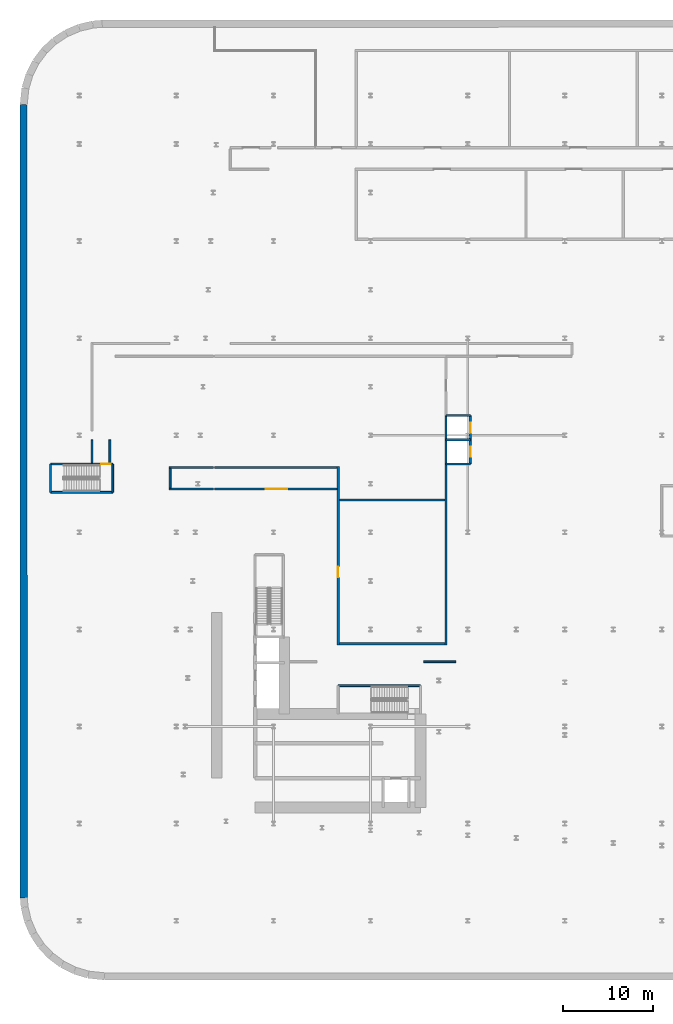
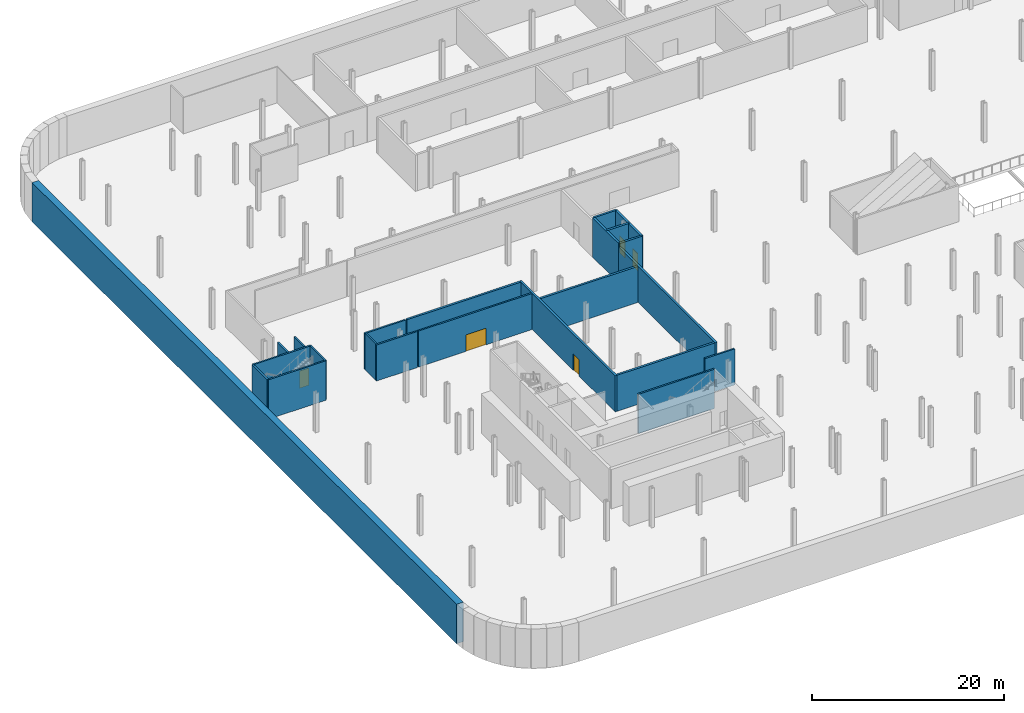
# One storey, part 9 of 19: 23 walls, 5 doors, 5 openings.
"""IFC4 building model written with IfcOpenShell, lengths in metres."""

from ifc_helpers import new_model, si_unit, direction, frame, frame_2d, origin, place, context, subcontext, project, spatial, rectangle, extrude, source, transform, mapped, material, layer, layer_set, type_object, element, fill, save


model = new_model("IFC4")

# Units and contexts
model_context = context("Model", 3, precision=1e-05, world=origin(), true_north=direction((0.0, 1.0)))
body_context = subcontext(model_context, "Body", "Model", "MODEL_VIEW")
ifc_project = project(units=[si_unit("LENGTHUNIT", "METRE"), si_unit("AREAUNIT", "SQUARE_METRE"), si_unit("VOLUMEUNIT", "CUBIC_METRE"), si_unit("PLANEANGLEUNIT", "RADIAN"), si_unit("MASSUNIT", "GRAM", prefix="KILO")], contexts=[model_context])

# Site, building, storey
site_placement = place(None, origin())
site = spatial("IfcSite", under=ifc_project, at=site_placement, CompositionType="ELEMENT")
building_placement = place(site_placement, origin())
building = spatial("IfcBuilding", under=site, at=building_placement, Name="Kheshtan School and Residences Tower", CompositionType="ELEMENT")
storey_placement = place(building_placement, frame((0.0, 0.0, -10.0)))
storey = spatial("IfcBuildingStorey", under=building, at=storey_placement, Name="B2", CompositionType="ELEMENT", Elevation=-10.0)

# Walls
ifc_material_1 = material(Name="Concrete C35/45", Category="concrete")
ifc_layer_1 = layer(ifc_material_1, 0.800048828125)
ifc_layer_set_1 = layer_set([ifc_layer_1], Name="Basement wall 800 Concrete C35/45")
wall_type_1 = type_object("IfcWallType", Name="Basement wall 800 Concrete C35/45", PredefinedType="SOLIDWALL", material=ifc_layer_set_1)
wall_1_placement = place(storey_placement, frame((9.010986328125, 15.739013671875, 0.0), z_axis=(0.0, 0.0, 1.0), x_axis=(-0.000124475473, 0.999999992253, 0.0)))
element("IfcWall", 1, at=wall_1_placement, inside=storey, type_object=wall_type_1, Name="Secant pile wall 40", PredefinedType="SOLIDWALL", context=body_context, shape_type="SweptSolid", body=[
    extrude(rectangle(XDim=88.260986328125, YDim=0.800048828125, at=frame_2d((44.13037109375, 0.0))), origin(), (0.0, 0.0, 1.0), 5.0),
])
ifc_material_2 = material(Name="Gypsum board on steel studs with fire boards", Category="steel")
ifc_layer_2 = layer(ifc_material_2, 0.199951171875)
ifc_layer_set_2 = layer_set([ifc_layer_2], Name="Corridor wall 200")
wall_type_2 = type_object("IfcWallType", Name="Corridor wall 200", PredefinedType="PARTITIONING", material=ifc_layer_set_2)
for number, where, z_axis, x_axis, name in (
    (2, (16.60009765625, 64.10009765625, 0.0), (0.0, 0.0, 1.0), (0.0, 1.0, 0.0), "Partition B2-001"),
    (3, (18.60009765625, 64.10009765625, 0.0), (0.0, 0.0, 1.0), (0.0, 1.0, 0.0), "Partition B2-004"),
):
    element("IfcWall", number, at=place(storey_placement, frame(where, z_axis=z_axis, x_axis=x_axis)), inside=storey, type_object=wall_type_2, Name=name, PredefinedType="PARTITIONING", context=body_context, shape_type="SweptSolid", body=[
        extrude(rectangle(XDim=2.599853515625, YDim=0.199951171875, at=frame_2d((1.2998046875, 0.0))), origin(), (0.0, 0.0, 1.0), 4.580078125),
    ])
for number, where, z_axis, x_axis, name in (
    (4, (25.199951171875, 61.22509765625, 0.0), (0.0, 0.0, 1.0), (1.0, 0.0, 0.0), "Partition B2-006"),
    (5, (25.199951171875, 63.625, 0.0), (0.0, 0.0, 1.0), (1.0, 0.0, 0.0), "Partition B2-007"),
):
    element("IfcWall", number, at=place(storey_placement, frame(where, z_axis=z_axis, x_axis=x_axis)), inside=storey, type_object=wall_type_2, Name=name, PredefinedType="PARTITIONING", context=body_context, shape_type="SweptSolid", body=[
        extrude(rectangle(XDim=4.900146484375, YDim=0.199951171875, at=frame_2d((2.4501953125, 0.0))), origin(), (0.0, 0.0, 1.0), 4.580078125),
    ])
wall_2_placement = place(storey_placement, frame((25.300048828125, 61.324951171875, 0.0), z_axis=(0.0, 0.0, 1.0), x_axis=(0.0, 1.0, 0.0)))
element("IfcWall", 6, at=wall_2_placement, inside=storey, type_object=wall_type_2, Name="Partition B2-008", PredefinedType="PARTITIONING", context=body_context, shape_type="SweptSolid", body=[
    extrude(rectangle(XDim=2.199951171875, YDim=0.199951171875, at=frame_2d((1.10009765625, 0.0))), origin(), (0.0, 0.0, 1.0), 4.580078125),
])

# Wall, opening, door
wall_3_placement = place(storey_placement, frame((30.25, 61.22509765625, 0.0), z_axis=(0.0, 0.0, 1.0), x_axis=(1.0, 0.0, 0.0)))
wall_3 = element("IfcWall", 7, at=wall_3_placement, inside=storey, type_object=wall_type_2, Name="Partition B2-010", PredefinedType="PARTITIONING", context=body_context, shape_type="SweptSolid", body=[
    extrude(rectangle(XDim=13.625, YDim=0.199951171875, at=frame_2d((6.8125, 0.0))), origin(), (0.0, 0.0, 1.0), 4.580078125),
])
opening_1_placement = place(wall_3_placement, frame((5.699951171875, 0.0, 0.0)))
opening_1 = element("IfcOpeningElement", 8, at=opening_1_placement, cuts=wall_3, Name="Opening D2-012", PredefinedType="OPENING", context=body_context, shape_type="SweptSolid", body=[
    extrude(rectangle(XDim=2.39990234375, YDim=2.10009765625, at=frame_2d((1.199951171875, 1.050048828125))), frame((0.0, 0.10986328125, 0.0), z_axis=(0.0, -1.0, 0.0), x_axis=(1.0, 0.0, 0.0)), (0.0, 0.0, 1.0), 0.219970703125),
])
ifc_material_3 = material(Name="Steel-framed fire-resisting door leaf", Category="steel")
door_type_1 = type_object("IfcDoorType", Name="Fire double door FD60 2400 x 2100", OperationType="DOUBLE_DOOR_SINGLE_SWING", PredefinedType="DOOR", material=ifc_material_3)
shared_shape_1 = source(origin(), body_context, "Body", "SweptSolid", [
    extrude(rectangle(XDim=2.39990234375, YDim=2.10009765625, at=frame_2d((1.199951171875, 1.050048828125))), frame((0.0, 0.02490234375, 0.0), z_axis=(0.0, -1.0, 0.0), x_axis=(1.0, 0.0, 0.0)), (0.0, 0.0, 1.0), 0.050048828125),
])
door_1_placement = place(opening_1_placement, origin())
door_1 = element("IfcDoor", 9, at=door_1_placement, inside=storey, type_object=door_type_1, Name="Door D2-012", OperationType="DOUBLE_DOOR_SINGLE_SWING", OverallHeight=2.10009765625, OverallWidth=2.39990234375, PredefinedType="DOOR", context=body_context, shape_type="MappedRepresentation", body=[
    mapped(shared_shape_1, transform((0.0, 0.0, 0.0), x_axis=(1.0, 0.0, 0.0), y_axis=(0.0, 1.0, 0.0), z_axis=(0.0, 0.0, 1.0), scale=1.0)),
])
fill(opening_1, door_1)

# Walls
wall_4_placement = place(storey_placement, frame((53.5, 42.0, 0.0), z_axis=(0.0, 0.0, 1.0), x_axis=(1.0, 0.0, 0.0)))
element("IfcWall", 10, at=wall_4_placement, inside=storey, type_object=wall_type_2, Name="Partition B2-032", PredefinedType="PARTITIONING", context=body_context, shape_type="SweptSolid", body=[
    extrude(rectangle(XDim=3.60009765625, YDim=0.199951171875, at=frame_2d((1.800048828125, 0.0))), origin(), (0.0, 0.0, 1.0), 4.580078125),
])
ifc_material_4 = material(Name="Fire-board and steel stud wall with mineral wool", Category="steel")
ifc_layer_3 = layer(ifc_material_4, 0.25)
ifc_layer_set_3 = layer_set([ifc_layer_3], Name="Plant room wall 250")
wall_type_3 = type_object("IfcWallType", Name="Plant room wall 250", PredefinedType="PARTITIONING", material=ifc_layer_set_3)
wall_5_placement = place(storey_placement, frame((30.25, 63.625, 0.0), z_axis=(0.0, 0.0, 1.0), x_axis=(1.0, 0.0, 0.0)))
element("IfcWall", 11, at=wall_5_placement, inside=storey, type_object=wall_type_3, Name="Partition B2-011", PredefinedType="PARTITIONING", context=body_context, shape_type="SweptSolid", body=[
    extrude(rectangle(XDim=13.625, YDim=0.25, at=frame_2d((6.8125, 0.0))), origin(), (0.0, 0.0, 1.0), 4.580078125),
])

# Wall, opening, door
wall_6_placement = place(storey_placement, frame((44.0, 43.875, 0.0), z_axis=(0.0, 0.0, 1.0), x_axis=(0.0, 1.0, 0.0)))
wall_6 = element("IfcWall", 12, at=wall_6_placement, inside=storey, type_object=wall_type_3, Name="Partition B2-022", PredefinedType="PARTITIONING", context=body_context, shape_type="SweptSolid", body=[
    extrude(rectangle(XDim=19.875, YDim=0.25, at=frame_2d((9.9375, 0.0))), origin(), (0.0, 0.0, 1.0), 4.580078125),
])
opening_2_placement = place(wall_6_placement, frame((7.52490234375, 0.0, 0.0)))
opening_2 = element("IfcOpeningElement", 13, at=opening_2_placement, cuts=wall_6, Name="Opening D2-015", PredefinedType="OPENING", context=body_context, shape_type="SweptSolid", body=[
    extrude(rectangle(XDim=1.199951171875, YDim=2.10009765625, at=frame_2d((0.60009765625, 1.050048828125))), frame((0.0, 0.135009765625, 0.0), z_axis=(0.0, -1.0, 0.0), x_axis=(1.0, 0.0, 0.0)), (0.0, 0.0, 1.0), 0.27001953125),
])
door_type_2 = type_object("IfcDoorType", Name="Fire door FD120 1200 x 2100", OperationType="SINGLE_SWING_LEFT", PredefinedType="DOOR", material=ifc_material_3)
shared_shape_2 = source(origin(), body_context, "Body", "SweptSolid", [
    extrude(rectangle(XDim=1.199951171875, YDim=2.10009765625, at=frame_2d((0.60009765625, 1.050048828125))), frame((0.0, 0.02490234375, 0.0), z_axis=(0.0, -1.0, 0.0), x_axis=(1.0, 0.0, 0.0)), (0.0, 0.0, 1.0), 0.050048828125),
])
door_2_placement = place(opening_2_placement, origin())
door_2 = element("IfcDoor", 14, at=door_2_placement, inside=storey, type_object=door_type_2, Name="Door D2-015", OperationType="SINGLE_SWING_LEFT", OverallHeight=2.10009765625, OverallWidth=1.199951171875, PredefinedType="DOOR", context=body_context, shape_type="MappedRepresentation", body=[
    mapped(shared_shape_2, transform((0.0, 0.0, 0.0), x_axis=(1.0, 0.0, 0.0), y_axis=(0.0, 1.0, 0.0), z_axis=(0.0, 0.0, 1.0), scale=1.0)),
])
fill(opening_2, door_2)

# Walls
for number, where, z_axis, x_axis, name in (
    (15, (44.125, 44.0, 0.0), (0.0, 0.0, 1.0), (1.0, 0.0, 0.0), "Partition B2-023"),
    (16, (44.125, 60.0, 0.0), (0.0, 0.0, 1.0), (1.0, 0.0, 0.0), "Partition B2-024"),
):
    element("IfcWall", number, at=place(storey_placement, frame(where, z_axis=z_axis, x_axis=x_axis)), inside=storey, type_object=wall_type_3, Name=name, PredefinedType="PARTITIONING", context=body_context, shape_type="SweptSolid", body=[
        extrude(rectangle(XDim=11.75, YDim=0.25, at=frame_2d((5.875, 0.0))), origin(), (0.0, 0.0, 1.0), 4.580078125),
    ])
wall_7_placement = place(storey_placement, frame((56.0, 43.875, 0.0), z_axis=(0.0, 0.0, 1.0), x_axis=(0.0, 1.0, 0.0)))
element("IfcWall", 17, at=wall_7_placement, inside=storey, type_object=wall_type_3, Name="Partition B2-033", PredefinedType="PARTITIONING", context=body_context, shape_type="SweptSolid", body=[
    extrude(rectangle(XDim=20.125, YDim=0.25, at=frame_2d((10.0625, 0.0))), origin(), (0.0, 0.0, 1.0), 4.580078125),
])
ifc_material_5 = material(Name="Fire-board shaft wall system")
ifc_layer_4 = layer(ifc_material_5, 0.25)
ifc_layer_set_4 = layer_set([ifc_layer_4], Name="Shaft lining wall 250")
wall_type_4 = type_object("IfcWallType", Name="Shaft lining wall 250", PredefinedType="PARTITIONING", material=ifc_layer_set_4)
wall_8_placement = place(storey_placement, frame((56.0, 64.0, 0.0), z_axis=(0.0, 0.0, 1.0), x_axis=(0.0, 1.0, 0.0)))
element("IfcWall", 18, at=wall_8_placement, inside=storey, type_object=wall_type_4, Name="Shaft lining wall", PredefinedType="PARTITIONING", context=body_context, shape_type="SweptSolid", body=[
    extrude(rectangle(XDim=5.39990234375, YDim=0.25, at=frame_2d((2.699951171875, 0.0))), origin(), (0.0, 0.0, 1.0), 5.0),
])

# Wall, openings, doors
wall_9_placement = place(storey_placement, frame((58.699951171875, 64.0, 0.0), z_axis=(0.0, 0.0, 1.0), x_axis=(0.0, 1.0, 0.0)))
wall_9 = element("IfcWall", 19, at=wall_9_placement, inside=storey, type_object=wall_type_4, Name="Shaft lining wall", PredefinedType="PARTITIONING", context=body_context, shape_type="SweptSolid", body=[
    extrude(rectangle(XDim=5.39990234375, YDim=0.25, at=frame_2d((2.699951171875, 0.0))), origin(), (0.0, 0.0, 1.0), 5.0),
])
opening_3_placement = place(wall_9_placement, frame((0.800048828125, 0.0, 0.0)))
opening_3 = element("IfcOpeningElement", 20, at=opening_3_placement, cuts=wall_9, Name="Opening LD", PredefinedType="OPENING", context=body_context, shape_type="SweptSolid", body=[
    extrude(rectangle(XDim=1.10009765625, YDim=2.199951171875, at=frame_2d((0.550048828125, 1.10009765625))), frame((0.0, 0.135009765625, 0.0), z_axis=(0.0, -1.0, 0.0), x_axis=(1.0, 0.0, 0.0)), (0.0, 0.0, 1.0), 0.27001953125),
])
opening_4_placement = place(wall_9_placement, frame((3.5, 0.0, 0.0)))
opening_4 = element("IfcOpeningElement", 21, at=opening_4_placement, cuts=wall_9, Name="Opening LD", PredefinedType="OPENING", context=body_context, shape_type="SweptSolid", body=[
    extrude(rectangle(XDim=1.10009765625, YDim=2.199951171875, at=frame_2d((0.550048828125, 1.10009765625))), frame((0.0, 0.135009765625, 0.0), z_axis=(0.0, -1.0, 0.0), x_axis=(1.0, 0.0, 0.0)), (0.0, 0.0, 1.0), 0.27001953125),
])
ifc_material_6 = material(Name="Stainless steel door leaves", Category="steel")
door_type_3 = type_object("IfcDoorType", Name="Lift landing door 1100", OperationType="SLIDING_TO_LEFT", PredefinedType="DOOR", material=ifc_material_6)
shared_shape_3 = source(origin(), body_context, "Body", "SweptSolid", [
    extrude(rectangle(XDim=1.10009765625, YDim=2.199951171875, at=frame_2d((0.550048828125, 1.10009765625))), frame((0.0, 0.02490234375, 0.0), z_axis=(0.0, -1.0, 0.0), x_axis=(1.0, 0.0, 0.0)), (0.0, 0.0, 1.0), 0.050048828125),
])
door_3_placement = place(opening_3_placement, origin())
door_3 = element("IfcDoor", 22, at=door_3_placement, inside=storey, type_object=door_type_3, Name="Lift ML1 landing door", OperationType="SLIDING_TO_LEFT", OverallHeight=2.199951171875, OverallWidth=1.10009765625, PredefinedType="DOOR", context=body_context, shape_type="MappedRepresentation", body=[
    mapped(shared_shape_3, transform((0.0, 0.0, 0.0), x_axis=(1.0, 0.0, 0.0), y_axis=(0.0, 1.0, 0.0), z_axis=(0.0, 0.0, 1.0), scale=1.0)),
])
fill(opening_3, door_3)
door_4_placement = place(opening_4_placement, origin())
door_4 = element("IfcDoor", 23, at=door_4_placement, inside=storey, type_object=door_type_3, Name="Lift ML2 landing door", OperationType="SLIDING_TO_LEFT", OverallHeight=2.199951171875, OverallWidth=1.10009765625, PredefinedType="DOOR", context=body_context, shape_type="MappedRepresentation", body=[
    mapped(shared_shape_3, transform((0.0, 0.0, 0.0), x_axis=(1.0, 0.0, 0.0), y_axis=(0.0, 1.0, 0.0), z_axis=(0.0, 0.0, 1.0), scale=1.0)),
])
fill(opening_4, door_4)

# Walls
for number, where, z_axis, x_axis, name in (
    (24, (56.0, 64.0, 0.0), (0.0, 0.0, 1.0), (1.0, 0.0, 0.0), "Shaft lining wall"),
    (25, (56.0, 66.699951171875, 0.0), (0.0, 0.0, 1.0), (1.0, 0.0, 0.0), "Shaft lining wall"),
    (26, (56.0, 69.39990234375, 0.0), (0.0, 0.0, 1.0), (1.0, 0.0, 0.0), "Shaft lining wall"),
):
    element("IfcWall", number, at=place(storey_placement, frame(where, z_axis=z_axis, x_axis=x_axis)), inside=storey, type_object=wall_type_4, Name=name, PredefinedType="PARTITIONING", context=body_context, shape_type="SweptSolid", body=[
        extrude(rectangle(XDim=2.699951171875, YDim=0.25, at=frame_2d((1.35009765625, 0.0))), origin(), (0.0, 0.0, 1.0), 5.0),
    ])
ifc_material_7 = material(Name="Concrete C40/50", Category="concrete")
ifc_layer_5 = layer(ifc_material_7, 0.199951171875)
ifc_layer_set_5 = layer_set([ifc_layer_5], Name="Stair enclosure wall 200 Concrete C40/50")
wall_type_5 = type_object("IfcWallType", Name="Stair enclosure wall 200 Concrete C40/50", PredefinedType="SHEAR", material=ifc_layer_set_5)
wall_10_placement = place(storey_placement, frame((43.989990234375, 39.35009765625, 0.0), z_axis=(0.0, 0.0, 1.0), x_axis=(1.0, 0.0, 0.0)))
element("IfcWall", 27, at=wall_10_placement, inside=storey, type_object=wall_type_5, Name="Stair enclosure wall ST1", PredefinedType="SHEAR", context=body_context, shape_type="SweptSolid", body=[
    extrude(rectangle(XDim=9.159912109375, YDim=0.199951171875, at=frame_2d((4.580078125, 0.0))), origin(), (0.0, 0.0, 1.0), 5.0),
])
wall_11_placement = place(storey_placement, frame((12.0, 60.85009765625, 0.0), z_axis=(0.0, 0.0, 1.0), x_axis=(1.0, 0.0, 0.0)))
element("IfcWall", 28, at=wall_11_placement, inside=storey, type_object=wall_type_5, Name="Stair enclosure wall", PredefinedType="SHEAR", context=body_context, shape_type="SweptSolid", body=[
    extrude(rectangle(XDim=6.919921875, YDim=0.199951171875, at=frame_2d((3.4599609375, 0.0))), origin(), (0.0, 0.0, 1.0), 5.0),
])

# Wall, opening, door
wall_12_placement = place(storey_placement, frame((12.0, 64.0, 0.0), z_axis=(0.0, 0.0, 1.0), x_axis=(1.0, 0.0, 0.0)))
wall_12 = element("IfcWall", 29, at=wall_12_placement, inside=storey, type_object=wall_type_5, Name="Stair enclosure wall", PredefinedType="SHEAR", context=body_context, shape_type="SweptSolid", body=[
    extrude(rectangle(XDim=6.919921875, YDim=0.199951171875, at=frame_2d((3.4599609375, 0.0))), origin(), (0.0, 0.0, 1.0), 5.0),
])
opening_5_placement = place(wall_12_placement, frame((5.6201171875, 0.0, 0.0)))
opening_5 = element("IfcOpeningElement", 30, at=opening_5_placement, cuts=wall_12, Name="Opening SD90", PredefinedType="OPENING", context=body_context, shape_type="SweptSolid", body=[
    extrude(rectangle(XDim=1.10009765625, YDim=2.199951171875, at=frame_2d((0.550048828125, 1.10009765625))), frame((0.0, 0.10986328125, 0.0), z_axis=(0.0, -1.0, 0.0), x_axis=(1.0, 0.0, 0.0)), (0.0, 0.0, 1.0), 0.219970703125),
])
ifc_material_8 = material(Name="Steel door leaf, galvanised", Category="steel")
door_type_4 = type_object("IfcDoorType", Name="Stair door 1100 steel 90 min", OperationType="SINGLE_SWING_LEFT", PredefinedType="DOOR", material=ifc_material_8)
shared_shape_4 = source(origin(), body_context, "Body", "SweptSolid", [
    extrude(rectangle(XDim=1.10009765625, YDim=2.199951171875, at=frame_2d((0.550048828125, 1.10009765625))), frame((0.0, 0.02490234375, 0.0), z_axis=(0.0, -1.0, 0.0), x_axis=(1.0, 0.0, 0.0)), (0.0, 0.0, 1.0), 0.050048828125),
])
door_5_placement = place(opening_5_placement, origin())
door_5 = element("IfcDoor", 31, at=door_5_placement, inside=storey, type_object=door_type_4, Name="Stair door", OperationType="SINGLE_SWING_LEFT", OverallHeight=2.199951171875, OverallWidth=1.10009765625, PredefinedType="DOOR", context=body_context, shape_type="MappedRepresentation", body=[
    mapped(shared_shape_4, transform((0.0, 0.0, 0.0), x_axis=(1.0, 0.0, 0.0), y_axis=(0.0, 1.0, 0.0), z_axis=(0.0, 0.0, 1.0), scale=1.0)),
])
fill(opening_5, door_5)

# Walls
for number, where, z_axis, x_axis, name in (
    (32, (12.0, 60.85009765625, 0.0), (0.0, 0.0, 1.0), (0.0, 1.0, 0.0), "Stair enclosure wall"),
    (33, (18.919921875, 60.85009765625, 0.0), (0.0, 0.0, 1.0), (0.0, 1.0, 0.0), "Stair enclosure wall"),
):
    element("IfcWall", number, at=place(storey_placement, frame(where, z_axis=z_axis, x_axis=x_axis)), inside=storey, type_object=wall_type_5, Name=name, PredefinedType="SHEAR", context=body_context, shape_type="SweptSolid", body=[
        extrude(rectangle(XDim=3.14990234375, YDim=0.199951171875, at=frame_2d((1.574951171875, 0.0))), origin(), (0.0, 0.0, 1.0), 5.0),
    ])

save(model, "model.ifc")
